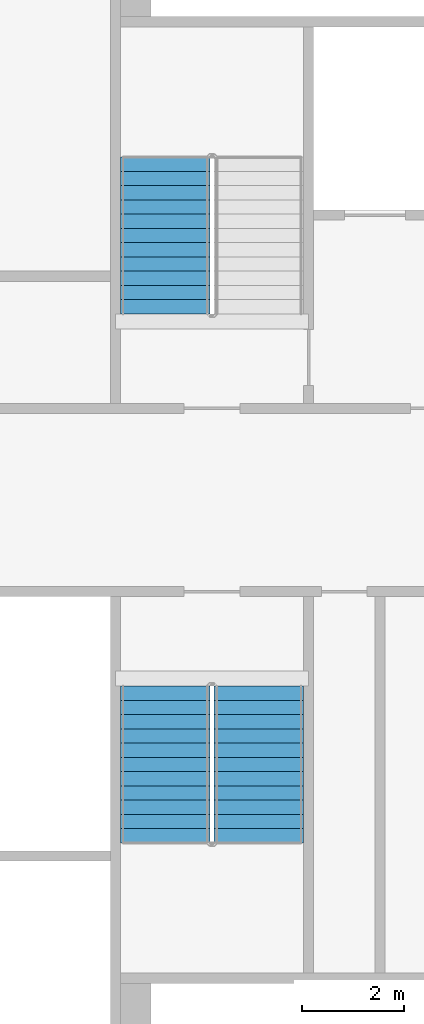
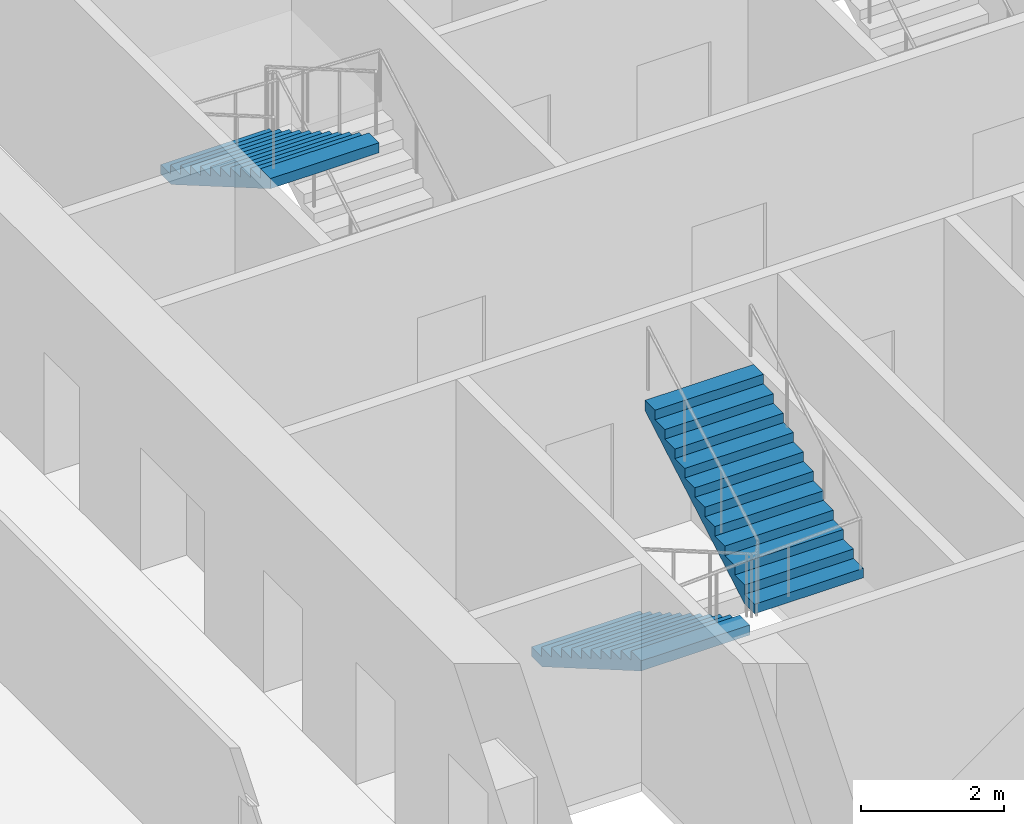
# One storey, part 9 of 17: 3 stair flights, 2 elements without a shape of their own.
"""IFC4 building model written with IfcOpenShell, lengths in metres."""

from ifc_helpers import new_model, si_unit, direction, frame, origin, place, context, subcontext, project, spatial, faceted_brep, material, type_object, element, aggregate, save


model = new_model("IFC4")

# Units and contexts
model_context = context("Model", 3, precision=1e-05, world=origin(), true_north=direction((0.0, 1.0)))
body_context = subcontext(model_context, "Body", "Model", "MODEL_VIEW")
ifc_project = project(units=[si_unit("LENGTHUNIT", "METRE"), si_unit("AREAUNIT", "SQUARE_METRE"), si_unit("VOLUMEUNIT", "CUBIC_METRE"), si_unit("PLANEANGLEUNIT", "RADIAN"), si_unit("MASSUNIT", "GRAM", prefix="KILO")], contexts=[model_context])

# Site, building, storey
site_placement = place(None, origin())
site = spatial("IfcSite", under=ifc_project, at=site_placement, CompositionType="ELEMENT")
building_placement = place(site_placement, origin())
building = spatial("IfcBuilding", under=site, at=building_placement, Name="Tarsis Ring Headquarters", CompositionType="ELEMENT")
storey_placement = place(building_placement, frame((0.0, 0.0, 127.89990234375)))
storey = spatial("IfcBuildingStorey", under=building, at=storey_placement, Name="L29", CompositionType="ELEMENT", Elevation=127.89990234375)

# Stair, stair flight
ifc_material_1 = material(Name="Core stair 1760")
stair_type = type_object("IfcStairType", Name="Core stair 1760", PredefinedType="HALF_TURN_STAIR", material=ifc_material_1)
stair_1_placement = place(storey_placement, origin())
stair_1 = element("IfcStair", 1, at=stair_1_placement, inside=storey, type_object=stair_type, Name="L29 Firefighting stair", PredefinedType="HALF_TURN_STAIR")
ifc_material_2 = material(Name="Concrete C40/50", Category="concrete")
stair_flight_type = type_object("IfcStairFlightType", Name="Core stair flight 1760", PredefinedType="STRAIGHT", material=ifc_material_2)
stair_flight_1_placement = place(storey_placement, frame((-5.419921875, 6.739990234375, 1.9501953125), z_axis=(0.0, 0.0, 1.0), x_axis=(0.0, -1.0, 0.0)))
stair_flight_1 = element("IfcStairFlight", 2, at=stair_flight_1_placement, type_object=stair_flight_type, Name="Stair ST1 flight 2", NumberOfRisers=12, NumberOfTreads=11, PredefinedType="STRAIGHT", RiserHeight=0.1625, TreadLength=0.28, context=body_context, shape_type="Brep", body=[
    faceted_brep([(0.0, 0.8798828125, 0.0), (0.0, 0.8798828125, 0.16259765625), (0.280029296875, 0.8798828125, 0.16259765625), (0.280029296875, 0.8798828125, 0.324951171875), (0.56005859375, 0.8798828125, 0.324951171875), (0.56005859375, 0.8798828125, 0.487548828125), (0.840087890625, 0.8798828125, 0.487548828125), (0.840087890625, 0.8798828125, 0.64990234375), (1.1201171875, 0.8798828125, 0.64990234375), (1.1201171875, 0.8798828125, 0.8125), (1.39990234375, 0.8798828125, 0.8125), (1.39990234375, 0.8798828125, 0.97509765625), (1.679931640625, 0.8798828125, 0.97509765625), (1.679931640625, 0.8798828125, 1.137451171875), (1.9599609375, 0.8798828125, 1.137451171875), (1.9599609375, 0.8798828125, 1.300048828125), (2.239990234375, 0.8798828125, 1.300048828125), (2.239990234375, 0.8798828125, 1.46240234375), (2.52001953125, 0.8798828125, 1.46240234375), (2.52001953125, 0.8798828125, 1.625), (2.800048828125, 0.8798828125, 1.625), (2.800048828125, 0.8798828125, 1.78759765625), (3.080078125, 0.8798828125, 1.78759765625), (3.080078125, 0.8798828125, 1.6142578125), (0.298583984375, 0.8798828125, 0.0), (0.298583984375, -0.8798828125, 0.0), (3.080078125, -0.8798828125, 1.6142578125), (3.080078125, -0.8798828125, 1.78759765625), (2.800048828125, -0.8798828125, 1.78759765625), (2.800048828125, -0.8798828125, 1.625), (2.52001953125, -0.8798828125, 1.625), (2.52001953125, -0.8798828125, 1.46240234375), (2.239990234375, -0.8798828125, 1.46240234375), (2.239990234375, -0.8798828125, 1.300048828125), (1.9599609375, -0.8798828125, 1.300048828125), (1.9599609375, -0.8798828125, 1.137451171875), (1.679931640625, -0.8798828125, 1.137451171875), (1.679931640625, -0.8798828125, 0.97509765625), (1.39990234375, -0.8798828125, 0.97509765625), (1.39990234375, -0.8798828125, 0.8125), (1.1201171875, -0.8798828125, 0.8125), (1.1201171875, -0.8798828125, 0.64990234375), (0.840087890625, -0.8798828125, 0.64990234375), (0.840087890625, -0.8798828125, 0.487548828125), (0.56005859375, -0.8798828125, 0.487548828125), (0.56005859375, -0.8798828125, 0.324951171875), (0.280029296875, -0.8798828125, 0.324951171875), (0.280029296875, -0.8798828125, 0.16259765625), (0.0, -0.8798828125, 0.16259765625), (0.0, -0.8798828125, 0.0), (0.0, -0.43994140625, 0.16259765625), (0.0, -0.43994140625, 0.0), (0.0, 0.0, 0.16259765625), (0.0, 0.0, 0.0), (0.0, 0.43994140625, 0.16259765625), (0.0, 0.43994140625, 0.0), (0.280029296875, -0.43994140625, 0.16259765625), (0.280029296875, 0.0, 0.16259765625), (0.280029296875, 0.43994140625, 0.16259765625), (0.280029296875, -0.43994140625, 0.324951171875), (0.280029296875, 0.0, 0.324951171875), (0.280029296875, 0.43994140625, 0.324951171875), (0.56005859375, -0.43994140625, 0.324951171875), (0.56005859375, 0.0, 0.324951171875), (0.56005859375, 0.43994140625, 0.324951171875), (0.56005859375, -0.43994140625, 0.487548828125), (0.56005859375, 0.0, 0.487548828125), (0.56005859375, 0.43994140625, 0.487548828125), (0.840087890625, -0.43994140625, 0.487548828125), (0.840087890625, 0.0, 0.487548828125), (0.840087890625, 0.43994140625, 0.487548828125), (0.840087890625, -0.43994140625, 0.64990234375), (0.840087890625, 0.0, 0.64990234375), (0.840087890625, 0.43994140625, 0.64990234375), (1.1201171875, -0.43994140625, 0.64990234375), (1.1201171875, 0.0, 0.64990234375), (1.1201171875, 0.43994140625, 0.64990234375), (1.1201171875, -0.43994140625, 0.8125), (1.1201171875, 0.0, 0.8125), (1.1201171875, 0.43994140625, 0.8125), (1.39990234375, -0.43994140625, 0.8125), (1.39990234375, 0.0, 0.8125), (1.39990234375, 0.43994140625, 0.8125), (1.39990234375, -0.43994140625, 0.97509765625), (1.39990234375, 0.0, 0.97509765625), (1.39990234375, 0.43994140625, 0.97509765625), (1.679931640625, -0.43994140625, 0.97509765625), (1.679931640625, 0.0, 0.97509765625), (1.679931640625, 0.43994140625, 0.97509765625), (1.679931640625, -0.43994140625, 1.137451171875), (1.679931640625, 0.0, 1.137451171875), (1.679931640625, 0.43994140625, 1.137451171875), (1.9599609375, -0.43994140625, 1.137451171875), (1.9599609375, 0.0, 1.137451171875), (1.9599609375, 0.43994140625, 1.137451171875), (1.9599609375, -0.43994140625, 1.300048828125), (1.9599609375, 0.0, 1.300048828125), (1.9599609375, 0.43994140625, 1.300048828125), (2.239990234375, -0.43994140625, 1.300048828125), (2.239990234375, 0.0, 1.300048828125), (2.239990234375, 0.43994140625, 1.300048828125), (2.239990234375, -0.43994140625, 1.46240234375), (2.239990234375, 0.0, 1.46240234375), (2.239990234375, 0.43994140625, 1.46240234375), (2.52001953125, -0.43994140625, 1.46240234375), (2.52001953125, 0.0, 1.46240234375), (2.52001953125, 0.43994140625, 1.46240234375), (2.52001953125, -0.43994140625, 1.625), (2.52001953125, 0.0, 1.625), (2.52001953125, 0.43994140625, 1.625), (2.800048828125, -0.43994140625, 1.625), (2.800048828125, 0.0, 1.625), (2.800048828125, 0.43994140625, 1.625), (2.800048828125, -0.43994140625, 1.78759765625), (2.800048828125, 0.0, 1.78759765625), (2.800048828125, 0.43994140625, 1.78759765625), (3.080078125, -0.43994140625, 1.78759765625), (3.080078125, 0.0, 1.78759765625), (3.080078125, 0.43994140625, 1.78759765625), (3.080078125, -0.43994140625, 1.6142578125), (3.080078125, 0.0, 1.6142578125), (3.080078125, 0.43994140625, 1.6142578125), (0.298583984375, -0.43994140625, 0.0), (0.298583984375, 0.0, 0.0), (0.298583984375, 0.43994140625, 0.0)], [[[0, 1, 2, 3, 4, 5, 6, 7, 8, 9, 10, 11, 12, 13, 14, 15, 16, 17, 18, 19, 20, 21, 22, 23, 24]], [[25, 26, 27, 28, 29, 30, 31, 32, 33, 34, 35, 36, 37, 38, 39, 40, 41, 42, 43, 44, 45, 46, 47, 48, 49]], [[49, 48, 50, 51]], [[51, 50, 52, 53]], [[53, 52, 54, 55]], [[55, 54, 1, 0]], [[48, 47, 56, 50]], [[50, 56, 57, 52]], [[52, 57, 58, 54]], [[54, 58, 2, 1]], [[47, 46, 59, 56]], [[56, 59, 60, 57]], [[57, 60, 61, 58]], [[58, 61, 3, 2]], [[46, 45, 62, 59]], [[59, 62, 63, 60]], [[60, 63, 64, 61]], [[61, 64, 4, 3]], [[45, 44, 65, 62]], [[62, 65, 66, 63]], [[63, 66, 67, 64]], [[64, 67, 5, 4]], [[44, 43, 68, 65]], [[65, 68, 69, 66]], [[66, 69, 70, 67]], [[67, 70, 6, 5]], [[43, 42, 71, 68]], [[68, 71, 72, 69]], [[69, 72, 73, 70]], [[70, 73, 7, 6]], [[42, 41, 74, 71]], [[71, 74, 75, 72]], [[72, 75, 76, 73]], [[73, 76, 8, 7]], [[41, 40, 77, 74]], [[74, 77, 78, 75]], [[75, 78, 79, 76]], [[76, 79, 9, 8]], [[40, 39, 80, 77]], [[77, 80, 81, 78]], [[78, 81, 82, 79]], [[79, 82, 10, 9]], [[39, 38, 83, 80]], [[80, 83, 84, 81]], [[81, 84, 85, 82]], [[82, 85, 11, 10]], [[38, 37, 86, 83]], [[83, 86, 87, 84]], [[84, 87, 88, 85]], [[85, 88, 12, 11]], [[37, 36, 89, 86]], [[86, 89, 90, 87]], [[87, 90, 91, 88]], [[88, 91, 13, 12]], [[36, 35, 92, 89]], [[89, 92, 93, 90]], [[90, 93, 94, 91]], [[91, 94, 14, 13]], [[35, 34, 95, 92]], [[92, 95, 96, 93]], [[93, 96, 97, 94]], [[94, 97, 15, 14]], [[34, 33, 98, 95]], [[95, 98, 99, 96]], [[96, 99, 100, 97]], [[97, 100, 16, 15]], [[33, 32, 101, 98]], [[98, 101, 102, 99]], [[99, 102, 103, 100]], [[100, 103, 17, 16]], [[32, 31, 104, 101]], [[101, 104, 105, 102]], [[102, 105, 106, 103]], [[103, 106, 18, 17]], [[31, 30, 107, 104]], [[104, 107, 108, 105]], [[105, 108, 109, 106]], [[106, 109, 19, 18]], [[30, 29, 110, 107]], [[107, 110, 111, 108]], [[108, 111, 112, 109]], [[109, 112, 20, 19]], [[29, 28, 113, 110]], [[110, 113, 114, 111]], [[111, 114, 115, 112]], [[112, 115, 21, 20]], [[28, 27, 116, 113]], [[113, 116, 117, 114]], [[114, 117, 118, 115]], [[115, 118, 22, 21]], [[27, 26, 119, 116]], [[116, 119, 120, 117]], [[117, 120, 121, 118]], [[118, 121, 23, 22]], [[26, 25, 122, 119]], [[119, 122, 123, 120]], [[120, 123, 124, 121]], [[121, 124, 24, 23]], [[25, 49, 51, 122]], [[122, 51, 53, 123]], [[123, 53, 55, 124]], [[124, 55, 0, 24]]]),
])
aggregate(stair_1, [stair_flight_1])

# Stair, stair flights
stair_2_placement = place(storey_placement, origin())
stair_2 = element("IfcStair", 3, at=stair_2_placement, inside=storey, type_object=stair_type, Name="L29 Exit stair C", PredefinedType="HALF_TURN_STAIR")
stair_flight_2_placement = place(storey_placement, frame((-5.419921875, -3.659912109375, 0.0), z_axis=(0.0, 0.0, 1.0), x_axis=(0.0, -1.0, 0.0)))
stair_flight_2 = element("IfcStairFlight", 4, at=stair_flight_2_placement, type_object=stair_flight_type, Name="Stair ST3 flight 1", NumberOfRisers=12, NumberOfTreads=11, PredefinedType="STRAIGHT", RiserHeight=0.1625, TreadLength=0.28, context=body_context, shape_type="Brep", body=[
    faceted_brep([(0.0, 0.8798828125, 0.0), (0.0, 0.8798828125, 0.16259765625), (0.280029296875, 0.8798828125, 0.16259765625), (0.280029296875, 0.8798828125, 0.324951171875), (0.56005859375, 0.8798828125, 0.324951171875), (0.56005859375, 0.8798828125, 0.487548828125), (0.840087890625, 0.8798828125, 0.487548828125), (0.840087890625, 0.8798828125, 0.64990234375), (1.1201171875, 0.8798828125, 0.64990234375), (1.1201171875, 0.8798828125, 0.8125), (1.39990234375, 0.8798828125, 0.8125), (1.39990234375, 0.8798828125, 0.97509765625), (1.679931640625, 0.8798828125, 0.97509765625), (1.679931640625, 0.8798828125, 1.137451171875), (1.9599609375, 0.8798828125, 1.137451171875), (1.9599609375, 0.8798828125, 1.300048828125), (2.239990234375, 0.8798828125, 1.300048828125), (2.239990234375, 0.8798828125, 1.46240234375), (2.52001953125, 0.8798828125, 1.46240234375), (2.52001953125, 0.8798828125, 1.625), (2.800048828125, 0.8798828125, 1.625), (2.800048828125, 0.8798828125, 1.78759765625), (3.080078125, 0.8798828125, 1.78759765625), (3.080078125, 0.8798828125, 1.6142578125), (0.298583984375, 0.8798828125, 0.0), (0.298583984375, -0.8798828125, 0.0), (3.080078125, -0.8798828125, 1.6142578125), (3.080078125, -0.8798828125, 1.78759765625), (2.800048828125, -0.8798828125, 1.78759765625), (2.800048828125, -0.8798828125, 1.625), (2.52001953125, -0.8798828125, 1.625), (2.52001953125, -0.8798828125, 1.46240234375), (2.239990234375, -0.8798828125, 1.46240234375), (2.239990234375, -0.8798828125, 1.300048828125), (1.9599609375, -0.8798828125, 1.300048828125), (1.9599609375, -0.8798828125, 1.137451171875), (1.679931640625, -0.8798828125, 1.137451171875), (1.679931640625, -0.8798828125, 0.97509765625), (1.39990234375, -0.8798828125, 0.97509765625), (1.39990234375, -0.8798828125, 0.8125), (1.1201171875, -0.8798828125, 0.8125), (1.1201171875, -0.8798828125, 0.64990234375), (0.840087890625, -0.8798828125, 0.64990234375), (0.840087890625, -0.8798828125, 0.487548828125), (0.56005859375, -0.8798828125, 0.487548828125), (0.56005859375, -0.8798828125, 0.324951171875), (0.280029296875, -0.8798828125, 0.324951171875), (0.280029296875, -0.8798828125, 0.16259765625), (0.0, -0.8798828125, 0.16259765625), (0.0, -0.8798828125, 0.0), (0.0, -0.43994140625, 0.16259765625), (0.0, -0.43994140625, 0.0), (0.0, 0.0, 0.16259765625), (0.0, 0.0, 0.0), (0.0, 0.43994140625, 0.16259765625), (0.0, 0.43994140625, 0.0), (0.280029296875, -0.43994140625, 0.16259765625), (0.280029296875, 0.0, 0.16259765625), (0.280029296875, 0.43994140625, 0.16259765625), (0.280029296875, -0.43994140625, 0.324951171875), (0.280029296875, 0.0, 0.324951171875), (0.280029296875, 0.43994140625, 0.324951171875), (0.56005859375, -0.43994140625, 0.324951171875), (0.56005859375, 0.0, 0.324951171875), (0.56005859375, 0.43994140625, 0.324951171875), (0.56005859375, -0.43994140625, 0.487548828125), (0.56005859375, 0.0, 0.487548828125), (0.56005859375, 0.43994140625, 0.487548828125), (0.840087890625, -0.43994140625, 0.487548828125), (0.840087890625, 0.0, 0.487548828125), (0.840087890625, 0.43994140625, 0.487548828125), (0.840087890625, -0.43994140625, 0.64990234375), (0.840087890625, 0.0, 0.64990234375), (0.840087890625, 0.43994140625, 0.64990234375), (1.1201171875, -0.43994140625, 0.64990234375), (1.1201171875, 0.0, 0.64990234375), (1.1201171875, 0.43994140625, 0.64990234375), (1.1201171875, -0.43994140625, 0.8125), (1.1201171875, 0.0, 0.8125), (1.1201171875, 0.43994140625, 0.8125), (1.39990234375, -0.43994140625, 0.8125), (1.39990234375, 0.0, 0.8125), (1.39990234375, 0.43994140625, 0.8125), (1.39990234375, -0.43994140625, 0.97509765625), (1.39990234375, 0.0, 0.97509765625), (1.39990234375, 0.43994140625, 0.97509765625), (1.679931640625, -0.43994140625, 0.97509765625), (1.679931640625, 0.0, 0.97509765625), (1.679931640625, 0.43994140625, 0.97509765625), (1.679931640625, -0.43994140625, 1.137451171875), (1.679931640625, 0.0, 1.137451171875), (1.679931640625, 0.43994140625, 1.137451171875), (1.9599609375, -0.43994140625, 1.137451171875), (1.9599609375, 0.0, 1.137451171875), (1.9599609375, 0.43994140625, 1.137451171875), (1.9599609375, -0.43994140625, 1.300048828125), (1.9599609375, 0.0, 1.300048828125), (1.9599609375, 0.43994140625, 1.300048828125), (2.239990234375, -0.43994140625, 1.300048828125), (2.239990234375, 0.0, 1.300048828125), (2.239990234375, 0.43994140625, 1.300048828125), (2.239990234375, -0.43994140625, 1.46240234375), (2.239990234375, 0.0, 1.46240234375), (2.239990234375, 0.43994140625, 1.46240234375), (2.52001953125, -0.43994140625, 1.46240234375), (2.52001953125, 0.0, 1.46240234375), (2.52001953125, 0.43994140625, 1.46240234375), (2.52001953125, -0.43994140625, 1.625), (2.52001953125, 0.0, 1.625), (2.52001953125, 0.43994140625, 1.625), (2.800048828125, -0.43994140625, 1.625), (2.800048828125, 0.0, 1.625), (2.800048828125, 0.43994140625, 1.625), (2.800048828125, -0.43994140625, 1.78759765625), (2.800048828125, 0.0, 1.78759765625), (2.800048828125, 0.43994140625, 1.78759765625), (3.080078125, -0.43994140625, 1.78759765625), (3.080078125, 0.0, 1.78759765625), (3.080078125, 0.43994140625, 1.78759765625), (3.080078125, -0.43994140625, 1.6142578125), (3.080078125, 0.0, 1.6142578125), (3.080078125, 0.43994140625, 1.6142578125), (0.298583984375, -0.43994140625, 0.0), (0.298583984375, 0.0, 0.0), (0.298583984375, 0.43994140625, 0.0)], [[[0, 1, 2, 3, 4, 5, 6, 7, 8, 9, 10, 11, 12, 13, 14, 15, 16, 17, 18, 19, 20, 21, 22, 23, 24]], [[25, 26, 27, 28, 29, 30, 31, 32, 33, 34, 35, 36, 37, 38, 39, 40, 41, 42, 43, 44, 45, 46, 47, 48, 49]], [[49, 48, 50, 51]], [[51, 50, 52, 53]], [[53, 52, 54, 55]], [[55, 54, 1, 0]], [[48, 47, 56, 50]], [[50, 56, 57, 52]], [[52, 57, 58, 54]], [[54, 58, 2, 1]], [[47, 46, 59, 56]], [[56, 59, 60, 57]], [[57, 60, 61, 58]], [[58, 61, 3, 2]], [[46, 45, 62, 59]], [[59, 62, 63, 60]], [[60, 63, 64, 61]], [[61, 64, 4, 3]], [[45, 44, 65, 62]], [[62, 65, 66, 63]], [[63, 66, 67, 64]], [[64, 67, 5, 4]], [[44, 43, 68, 65]], [[65, 68, 69, 66]], [[66, 69, 70, 67]], [[67, 70, 6, 5]], [[43, 42, 71, 68]], [[68, 71, 72, 69]], [[69, 72, 73, 70]], [[70, 73, 7, 6]], [[42, 41, 74, 71]], [[71, 74, 75, 72]], [[72, 75, 76, 73]], [[73, 76, 8, 7]], [[41, 40, 77, 74]], [[74, 77, 78, 75]], [[75, 78, 79, 76]], [[76, 79, 9, 8]], [[40, 39, 80, 77]], [[77, 80, 81, 78]], [[78, 81, 82, 79]], [[79, 82, 10, 9]], [[39, 38, 83, 80]], [[80, 83, 84, 81]], [[81, 84, 85, 82]], [[82, 85, 11, 10]], [[38, 37, 86, 83]], [[83, 86, 87, 84]], [[84, 87, 88, 85]], [[85, 88, 12, 11]], [[37, 36, 89, 86]], [[86, 89, 90, 87]], [[87, 90, 91, 88]], [[88, 91, 13, 12]], [[36, 35, 92, 89]], [[89, 92, 93, 90]], [[90, 93, 94, 91]], [[91, 94, 14, 13]], [[35, 34, 95, 92]], [[92, 95, 96, 93]], [[93, 96, 97, 94]], [[94, 97, 15, 14]], [[34, 33, 98, 95]], [[95, 98, 99, 96]], [[96, 99, 100, 97]], [[97, 100, 16, 15]], [[33, 32, 101, 98]], [[98, 101, 102, 99]], [[99, 102, 103, 100]], [[100, 103, 17, 16]], [[32, 31, 104, 101]], [[101, 104, 105, 102]], [[102, 105, 106, 103]], [[103, 106, 18, 17]], [[31, 30, 107, 104]], [[104, 107, 108, 105]], [[105, 108, 109, 106]], [[106, 109, 19, 18]], [[30, 29, 110, 107]], [[107, 110, 111, 108]], [[108, 111, 112, 109]], [[109, 112, 20, 19]], [[29, 28, 113, 110]], [[110, 113, 114, 111]], [[111, 114, 115, 112]], [[112, 115, 21, 20]], [[28, 27, 116, 113]], [[113, 116, 117, 114]], [[114, 117, 118, 115]], [[115, 118, 22, 21]], [[27, 26, 119, 116]], [[116, 119, 120, 117]], [[117, 120, 121, 118]], [[118, 121, 23, 22]], [[26, 25, 122, 119]], [[119, 122, 123, 120]], [[120, 123, 124, 121]], [[121, 124, 24, 23]], [[25, 49, 51, 122]], [[122, 51, 53, 123]], [[123, 53, 55, 124]], [[124, 55, 0, 24]]]),
])
stair_flight_3_placement = place(storey_placement, frame((-3.580078125, -6.739990234375, 1.9501953125), z_axis=(0.0, 0.0, 1.0), x_axis=(0.0, 1.0, 0.0)))
stair_flight_3 = element("IfcStairFlight", 5, at=stair_flight_3_placement, type_object=stair_flight_type, Name="Stair ST3 flight 2", NumberOfRisers=12, NumberOfTreads=11, PredefinedType="STRAIGHT", RiserHeight=0.1625, TreadLength=0.28, context=body_context, shape_type="Brep", body=[
    faceted_brep([(0.0, 0.8798828125, 0.0), (0.0, 0.8798828125, 0.16259765625), (0.280029296875, 0.8798828125, 0.16259765625), (0.280029296875, 0.8798828125, 0.324951171875), (0.56005859375, 0.8798828125, 0.324951171875), (0.56005859375, 0.8798828125, 0.487548828125), (0.840087890625, 0.8798828125, 0.487548828125), (0.840087890625, 0.8798828125, 0.64990234375), (1.1201171875, 0.8798828125, 0.64990234375), (1.1201171875, 0.8798828125, 0.8125), (1.39990234375, 0.8798828125, 0.8125), (1.39990234375, 0.8798828125, 0.97509765625), (1.679931640625, 0.8798828125, 0.97509765625), (1.679931640625, 0.8798828125, 1.137451171875), (1.9599609375, 0.8798828125, 1.137451171875), (1.9599609375, 0.8798828125, 1.300048828125), (2.239990234375, 0.8798828125, 1.300048828125), (2.239990234375, 0.8798828125, 1.46240234375), (2.52001953125, 0.8798828125, 1.46240234375), (2.52001953125, 0.8798828125, 1.625), (2.800048828125, 0.8798828125, 1.625), (2.800048828125, 0.8798828125, 1.78759765625), (3.080078125, 0.8798828125, 1.78759765625), (3.080078125, 0.8798828125, 1.6142578125), (0.298583984375, 0.8798828125, 0.0), (0.298583984375, -0.8798828125, 0.0), (3.080078125, -0.8798828125, 1.6142578125), (3.080078125, -0.8798828125, 1.78759765625), (2.800048828125, -0.8798828125, 1.78759765625), (2.800048828125, -0.8798828125, 1.625), (2.52001953125, -0.8798828125, 1.625), (2.52001953125, -0.8798828125, 1.46240234375), (2.239990234375, -0.8798828125, 1.46240234375), (2.239990234375, -0.8798828125, 1.300048828125), (1.9599609375, -0.8798828125, 1.300048828125), (1.9599609375, -0.8798828125, 1.137451171875), (1.679931640625, -0.8798828125, 1.137451171875), (1.679931640625, -0.8798828125, 0.97509765625), (1.39990234375, -0.8798828125, 0.97509765625), (1.39990234375, -0.8798828125, 0.8125), (1.1201171875, -0.8798828125, 0.8125), (1.1201171875, -0.8798828125, 0.64990234375), (0.840087890625, -0.8798828125, 0.64990234375), (0.840087890625, -0.8798828125, 0.487548828125), (0.56005859375, -0.8798828125, 0.487548828125), (0.56005859375, -0.8798828125, 0.324951171875), (0.280029296875, -0.8798828125, 0.324951171875), (0.280029296875, -0.8798828125, 0.16259765625), (0.0, -0.8798828125, 0.16259765625), (0.0, -0.8798828125, 0.0), (0.0, -0.43994140625, 0.16259765625), (0.0, -0.43994140625, 0.0), (0.0, 0.0, 0.16259765625), (0.0, 0.0, 0.0), (0.0, 0.43994140625, 0.16259765625), (0.0, 0.43994140625, 0.0), (0.280029296875, -0.43994140625, 0.16259765625), (0.280029296875, 0.0, 0.16259765625), (0.280029296875, 0.43994140625, 0.16259765625), (0.280029296875, -0.43994140625, 0.324951171875), (0.280029296875, 0.0, 0.324951171875), (0.280029296875, 0.43994140625, 0.324951171875), (0.56005859375, -0.43994140625, 0.324951171875), (0.56005859375, 0.0, 0.324951171875), (0.56005859375, 0.43994140625, 0.324951171875), (0.56005859375, -0.43994140625, 0.487548828125), (0.56005859375, 0.0, 0.487548828125), (0.56005859375, 0.43994140625, 0.487548828125), (0.840087890625, -0.43994140625, 0.487548828125), (0.840087890625, 0.0, 0.487548828125), (0.840087890625, 0.43994140625, 0.487548828125), (0.840087890625, -0.43994140625, 0.64990234375), (0.840087890625, 0.0, 0.64990234375), (0.840087890625, 0.43994140625, 0.64990234375), (1.1201171875, -0.43994140625, 0.64990234375), (1.1201171875, 0.0, 0.64990234375), (1.1201171875, 0.43994140625, 0.64990234375), (1.1201171875, -0.43994140625, 0.8125), (1.1201171875, 0.0, 0.8125), (1.1201171875, 0.43994140625, 0.8125), (1.39990234375, -0.43994140625, 0.8125), (1.39990234375, 0.0, 0.8125), (1.39990234375, 0.43994140625, 0.8125), (1.39990234375, -0.43994140625, 0.97509765625), (1.39990234375, 0.0, 0.97509765625), (1.39990234375, 0.43994140625, 0.97509765625), (1.679931640625, -0.43994140625, 0.97509765625), (1.679931640625, 0.0, 0.97509765625), (1.679931640625, 0.43994140625, 0.97509765625), (1.679931640625, -0.43994140625, 1.137451171875), (1.679931640625, 0.0, 1.137451171875), (1.679931640625, 0.43994140625, 1.137451171875), (1.9599609375, -0.43994140625, 1.137451171875), (1.9599609375, 0.0, 1.137451171875), (1.9599609375, 0.43994140625, 1.137451171875), (1.9599609375, -0.43994140625, 1.300048828125), (1.9599609375, 0.0, 1.300048828125), (1.9599609375, 0.43994140625, 1.300048828125), (2.239990234375, -0.43994140625, 1.300048828125), (2.239990234375, 0.0, 1.300048828125), (2.239990234375, 0.43994140625, 1.300048828125), (2.239990234375, -0.43994140625, 1.46240234375), (2.239990234375, 0.0, 1.46240234375), (2.239990234375, 0.43994140625, 1.46240234375), (2.52001953125, -0.43994140625, 1.46240234375), (2.52001953125, 0.0, 1.46240234375), (2.52001953125, 0.43994140625, 1.46240234375), (2.52001953125, -0.43994140625, 1.625), (2.52001953125, 0.0, 1.625), (2.52001953125, 0.43994140625, 1.625), (2.800048828125, -0.43994140625, 1.625), (2.800048828125, 0.0, 1.625), (2.800048828125, 0.43994140625, 1.625), (2.800048828125, -0.43994140625, 1.78759765625), (2.800048828125, 0.0, 1.78759765625), (2.800048828125, 0.43994140625, 1.78759765625), (3.080078125, -0.43994140625, 1.78759765625), (3.080078125, 0.0, 1.78759765625), (3.080078125, 0.43994140625, 1.78759765625), (3.080078125, -0.43994140625, 1.6142578125), (3.080078125, 0.0, 1.6142578125), (3.080078125, 0.43994140625, 1.6142578125), (0.298583984375, -0.43994140625, 0.0), (0.298583984375, 0.0, 0.0), (0.298583984375, 0.43994140625, 0.0)], [[[0, 1, 2, 3, 4, 5, 6, 7, 8, 9, 10, 11, 12, 13, 14, 15, 16, 17, 18, 19, 20, 21, 22, 23, 24]], [[25, 26, 27, 28, 29, 30, 31, 32, 33, 34, 35, 36, 37, 38, 39, 40, 41, 42, 43, 44, 45, 46, 47, 48, 49]], [[49, 48, 50, 51]], [[51, 50, 52, 53]], [[53, 52, 54, 55]], [[55, 54, 1, 0]], [[48, 47, 56, 50]], [[50, 56, 57, 52]], [[52, 57, 58, 54]], [[54, 58, 2, 1]], [[47, 46, 59, 56]], [[56, 59, 60, 57]], [[57, 60, 61, 58]], [[58, 61, 3, 2]], [[46, 45, 62, 59]], [[59, 62, 63, 60]], [[60, 63, 64, 61]], [[61, 64, 4, 3]], [[45, 44, 65, 62]], [[62, 65, 66, 63]], [[63, 66, 67, 64]], [[64, 67, 5, 4]], [[44, 43, 68, 65]], [[65, 68, 69, 66]], [[66, 69, 70, 67]], [[67, 70, 6, 5]], [[43, 42, 71, 68]], [[68, 71, 72, 69]], [[69, 72, 73, 70]], [[70, 73, 7, 6]], [[42, 41, 74, 71]], [[71, 74, 75, 72]], [[72, 75, 76, 73]], [[73, 76, 8, 7]], [[41, 40, 77, 74]], [[74, 77, 78, 75]], [[75, 78, 79, 76]], [[76, 79, 9, 8]], [[40, 39, 80, 77]], [[77, 80, 81, 78]], [[78, 81, 82, 79]], [[79, 82, 10, 9]], [[39, 38, 83, 80]], [[80, 83, 84, 81]], [[81, 84, 85, 82]], [[82, 85, 11, 10]], [[38, 37, 86, 83]], [[83, 86, 87, 84]], [[84, 87, 88, 85]], [[85, 88, 12, 11]], [[37, 36, 89, 86]], [[86, 89, 90, 87]], [[87, 90, 91, 88]], [[88, 91, 13, 12]], [[36, 35, 92, 89]], [[89, 92, 93, 90]], [[90, 93, 94, 91]], [[91, 94, 14, 13]], [[35, 34, 95, 92]], [[92, 95, 96, 93]], [[93, 96, 97, 94]], [[94, 97, 15, 14]], [[34, 33, 98, 95]], [[95, 98, 99, 96]], [[96, 99, 100, 97]], [[97, 100, 16, 15]], [[33, 32, 101, 98]], [[98, 101, 102, 99]], [[99, 102, 103, 100]], [[100, 103, 17, 16]], [[32, 31, 104, 101]], [[101, 104, 105, 102]], [[102, 105, 106, 103]], [[103, 106, 18, 17]], [[31, 30, 107, 104]], [[104, 107, 108, 105]], [[105, 108, 109, 106]], [[106, 109, 19, 18]], [[30, 29, 110, 107]], [[107, 110, 111, 108]], [[108, 111, 112, 109]], [[109, 112, 20, 19]], [[29, 28, 113, 110]], [[110, 113, 114, 111]], [[111, 114, 115, 112]], [[112, 115, 21, 20]], [[28, 27, 116, 113]], [[113, 116, 117, 114]], [[114, 117, 118, 115]], [[115, 118, 22, 21]], [[27, 26, 119, 116]], [[116, 119, 120, 117]], [[117, 120, 121, 118]], [[118, 121, 23, 22]], [[26, 25, 122, 119]], [[119, 122, 123, 120]], [[120, 123, 124, 121]], [[121, 124, 24, 23]], [[25, 49, 51, 122]], [[122, 51, 53, 123]], [[123, 53, 55, 124]], [[124, 55, 0, 24]]]),
])
aggregate(stair_2, [stair_flight_2, stair_flight_3])

save(model, "model.ifc")
